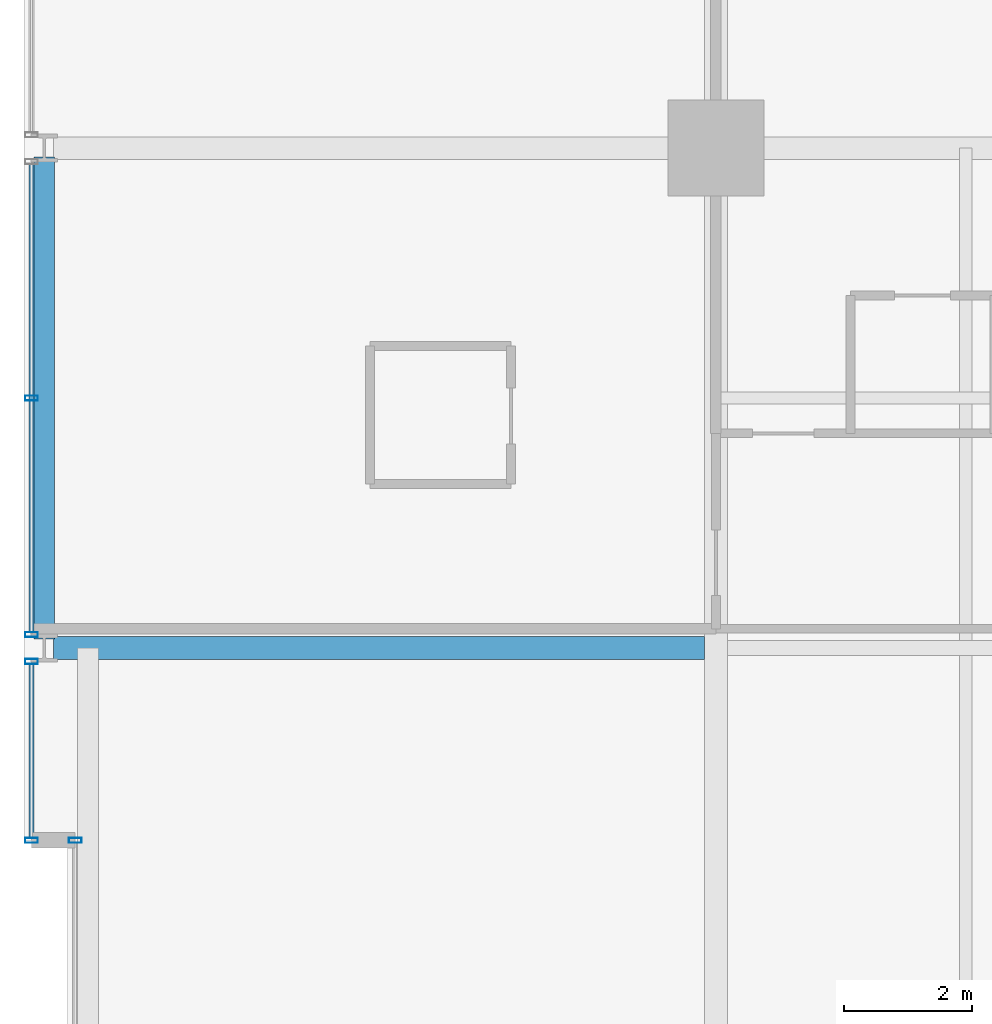
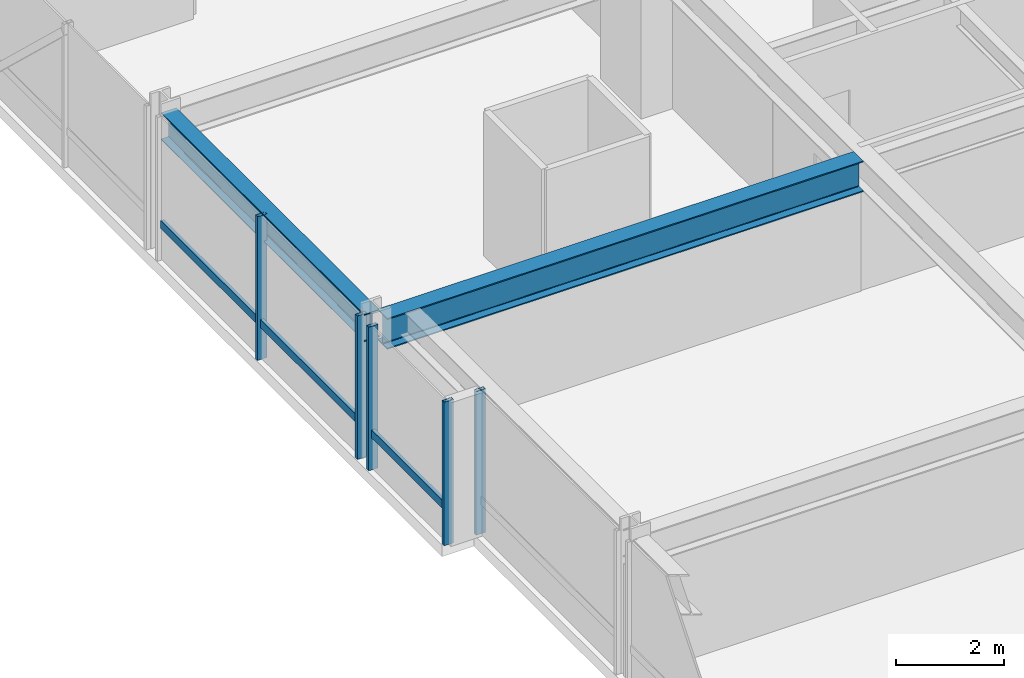
# One storey, part 16 of 34: 7 members, 2 beams, 3 elements without a shape of their own.
"""IFC4 building model written with IfcOpenShell, lengths in metres."""

from ifc_helpers import new_model, si_unit, direction, frame, origin, origin_2d, place, context, subcontext, project, spatial, hollow_rectangle, i_section, extrude, material, layer, layer_set, material_profile, profile_set, type_object, element, aggregate, save


model = new_model("IFC4")

# Units and contexts
model_context = context("Model", 3, precision=1e-05, world=origin(), true_north=direction((0.0, 1.0)))
body_context = subcontext(model_context, "Body", "Model", "MODEL_VIEW")
ifc_project = project(units=[si_unit("LENGTHUNIT", "METRE"), si_unit("AREAUNIT", "SQUARE_METRE"), si_unit("VOLUMEUNIT", "CUBIC_METRE"), si_unit("PLANEANGLEUNIT", "RADIAN"), si_unit("MASSUNIT", "GRAM", prefix="KILO")], contexts=[model_context])

# Site, building, storey
site_placement = place(None, origin())
site = spatial("IfcSite", under=ifc_project, at=site_placement, CompositionType="ELEMENT")
building_placement = place(site_placement, origin())
building = spatial("IfcBuilding", under=site, at=building_placement, Name="Drelvath Grand Hotel", CompositionType="ELEMENT")
storey_placement = place(building_placement, frame((0.0, 0.0, 133.800048828125)))
storey = spatial("IfcBuildingStorey", under=building, at=storey_placement, Name="L34", CompositionType="ELEMENT", Elevation=133.800048828125)

# Curtain wall, member
ifc_material_1 = material(Name="Champagne Bronze Anodised Aluminium Frame", Category="aluminium")
ifc_layer = layer(ifc_material_1, 0.199951171875)
ifc_layer_set = layer_set([ifc_layer], Name="Champagne Bronze Anodised Aluminium Frame")
curtain_wall_type = type_object("IfcCurtainWallType", Name="Stick Curtain Wall CW-03 Champagne Bronze Mid-Rise", PredefinedType="NOTDEFINED", material=ifc_layer_set)
curtain_wall_1_placement = place(storey_placement, origin())
curtain_wall_1 = element("IfcCurtainWall", 1, at=curtain_wall_1_placement, inside=storey, type_object=curtain_wall_type, Name="L34 CW-03 Curtain Wall CW03-L34-WN1", PredefinedType="NOTDEFINED")
ifc_material_profile_1 = material_profile(ifc_material_1, hollow_rectangle(XDim=0.074951171875, YDim=0.179931640625, WallThickness=0.0048828125, at=origin_2d()), Name="HSS180X75X5")
ifc_profile_set_1 = profile_set([ifc_material_profile_1], Name="Champagne Bronze Anodised Aluminium Frame")
member_type_1 = type_object("IfcMemberType", Name="Curtain Wall Horizontal Transom CW-03 HSS180X75X5", PredefinedType="USERDEFINED", material=ifc_profile_set_1)
member_1_placement = place(storey_placement, frame((-26.8798828125, 32.43994140625, 0.81005859375), z_axis=(0.0, 1.0, 0.0), x_axis=(-1.0, 0.0, 0.0)))
member_1 = element("IfcMember", 2, at=member_1_placement, type_object=member_type_1, Name="CW03-L34-WN1 Sill Transom", ObjectType="TRANSOM", PredefinedType="USERDEFINED", context=body_context, shape_type="SweptSolid", body=[
    extrude(hollow_rectangle(XDim=0.074951171875, YDim=0.179931640625, WallThickness=0.0048828125, at=origin_2d()), origin(), (0.0, 0.0, 1.0), 2.710693359375),
])

curtain_wall_2_placement = place(storey_placement, origin())
curtain_wall_2 = element("IfcCurtainWall", 3, at=curtain_wall_2_placement, inside=storey, type_object=curtain_wall_type, Name="L34 CW-03 Curtain Wall CW03-L34-WN2", PredefinedType="NOTDEFINED")
member_2_placement = place(storey_placement, frame((-26.8798828125, 35.6494140625, 0.81005859375), z_axis=(0.0, 1.0, 0.0), x_axis=(-1.0, 0.0, 0.0)))
member_2 = element("IfcMember", 4, at=member_2_placement, type_object=member_type_1, Name="CW03-L34-WN2 Sill Transom", ObjectType="TRANSOM", PredefinedType="USERDEFINED", context=body_context, shape_type="SweptSolid", body=[
    extrude(hollow_rectangle(XDim=0.074951171875, YDim=0.179931640625, WallThickness=0.0048828125, at=origin_2d()), origin(), (0.0, 0.0, 1.0), 7.30126953125),
])

curtain_wall_3_placement = place(storey_placement, origin())
curtain_wall_3 = element("IfcCurtainWall", 5, at=curtain_wall_3_placement, inside=storey, type_object=curtain_wall_type, Name="L34 CW-03 Curtain Wall CW03-L34-WM2", PredefinedType="NOTDEFINED")
ifc_material_profile_2 = material_profile(ifc_material_1, hollow_rectangle(XDim=0.080078125, YDim=0.199951171875, WallThickness=0.0048828125, at=origin_2d()), Name="HSS200X80X5")
ifc_profile_set_2 = profile_set([ifc_material_profile_2], Name="Champagne Bronze Anodised Aluminium Frame")
member_type_2 = type_object("IfcMemberType", Name="Curtain Wall Vertical Mullion CW-03 HSS200X80X5", PredefinedType="MULLION", material=ifc_profile_set_2)
member_3_placement = place(storey_placement, frame((-26.199951171875, 32.39990234375, 0.0), z_axis=(0.0, 0.0, 1.0), x_axis=(0.0, 1.0, 0.0)))
member_3 = element("IfcMember", 6, at=member_3_placement, type_object=member_type_2, Name="CW03-L34-WM2 Mullion 2", PredefinedType="MULLION", context=body_context, shape_type="SweptSolid", body=[
    extrude(hollow_rectangle(XDim=0.080078125, YDim=0.199951171875, WallThickness=0.0048828125, at=origin_2d()), origin(), (0.0, 0.0, 1.0), 3.239990234375),
])
aggregate(curtain_wall_3, [member_3])

# Member
member_4_placement = place(storey_placement, frame((-26.8798828125, 32.39990234375, 0.0), z_axis=(0.0, 0.0, 1.0), x_axis=(0.0, 1.0, 0.0)))
member_4 = element("IfcMember", 7, at=member_4_placement, type_object=member_type_2, Name="CW03-L34-WN1 Mullion 1", PredefinedType="MULLION", context=body_context, shape_type="SweptSolid", body=[
    extrude(hollow_rectangle(XDim=0.080078125, YDim=0.199951171875, WallThickness=0.0048828125, at=origin_2d()), origin(), (0.0, 0.0, 1.0), 3.239990234375),
])

member_5_placement = place(storey_placement, frame((-26.8798828125, 35.190673828125, 0.0), z_axis=(0.0, 0.0, 1.0), x_axis=(0.0, 1.0, 0.0)))
member_5 = element("IfcMember", 8, at=member_5_placement, type_object=member_type_2, Name="CW03-L34-WN1 Mullion 2", PredefinedType="MULLION", context=body_context, shape_type="SweptSolid", body=[
    extrude(hollow_rectangle(XDim=0.080078125, YDim=0.199951171875, WallThickness=0.0048828125, at=origin_2d()), origin(), (0.0, 0.0, 1.0), 3.239990234375),
])

aggregate(curtain_wall_1, [member_4, member_5, member_1])

member_6_placement = place(storey_placement, frame((-26.8798828125, 35.609375, 0.0), z_axis=(0.0, 0.0, 1.0), x_axis=(0.0, 1.0, 0.0)))
member_6 = element("IfcMember", 9, at=member_6_placement, type_object=member_type_2, Name="CW03-L34-WN2 Mullion 1", PredefinedType="MULLION", context=body_context, shape_type="SweptSolid", body=[
    extrude(hollow_rectangle(XDim=0.080078125, YDim=0.199951171875, WallThickness=0.0048828125, at=origin_2d()), origin(), (0.0, 0.0, 1.0), 3.239990234375),
])

member_7_placement = place(storey_placement, frame((-26.8798828125, 39.300048828125, 0.0), z_axis=(0.0, 0.0, 1.0), x_axis=(0.0, 1.0, 0.0)))
member_7 = element("IfcMember", 10, at=member_7_placement, type_object=member_type_2, Name="CW03-L34-WN2 Mullion 2", PredefinedType="MULLION", context=body_context, shape_type="SweptSolid", body=[
    extrude(hollow_rectangle(XDim=0.080078125, YDim=0.199951171875, WallThickness=0.0048828125, at=origin_2d()), origin(), (0.0, 0.0, 1.0), 3.239990234375),
])

aggregate(curtain_wall_2, [member_6, member_7, member_2])

# Beams
ifc_material_2 = material(Name="Steel ASTM A992 Gr 50", Category="steel")
ifc_material_profile_3 = material_profile(ifc_material_2, i_section(OverallWidth=0.323974609375, OverallDepth=0.611083984375, WebThickness=0.0126953125, FlangeThickness=0.01904296875, FilletRadius=0.02197265625, at=origin_2d()), Name="W24X104")
ifc_profile_set_3 = profile_set([ifc_material_profile_3], Name="Steel ASTM A992 Gr 50")
beam_type_1 = type_object("IfcBeamType", Name="Perimeter Spandrel Beam W24X104", PredefinedType="SPANDREL", material=ifc_profile_set_3)
beam_1_placement = place(storey_placement, frame((-26.679931640625, 35.5400390625, 2.934326171875), z_axis=(0.0, 1.0, 0.0), x_axis=(-1.0, 0.0, 0.0)))
element("IfcBeam", 11, at=beam_1_placement, inside=storey, type_object=beam_type_1, Name="L34 Spandrel West N", PredefinedType="SPANDREL", context=body_context, shape_type="SweptSolid", body=[
    extrude(i_section(OverallWidth=0.323974609375, OverallDepth=0.611083984375, WebThickness=0.0126953125, FlangeThickness=0.01904296875, FilletRadius=0.02197265625, at=origin_2d()), origin(), (0.0, 0.0, 1.0), 7.52001953125),
])
ifc_material_profile_4 = material_profile(ifc_material_2, i_section(OverallWidth=0.354736328125, OverallDepth=0.695556640625, WebThickness=0.015380859375, FlangeThickness=0.025146484375, FilletRadius=0.02392578125, at=origin_2d()), Name="W27X146")
ifc_profile_set_4 = profile_set([ifc_material_profile_4], Name="Steel ASTM A992 Gr 50")
beam_type_2 = type_object("IfcBeamType", Name="Primary Floor Girder W27X146", PredefinedType="BEAM", material=ifc_profile_set_4)
beam_2_placement = place(storey_placement, frame((-26.5400390625, 35.39990234375, 2.892333984375), z_axis=(1.0, 0.0, 0.0), x_axis=(0.0, 1.0, 0.0)))
element("IfcBeam", 12, at=beam_2_placement, inside=storey, type_object=beam_type_2, Name="L34 West Wing Girder F", PredefinedType="BEAM", context=body_context, shape_type="SweptSolid", body=[
    extrude(i_section(OverallWidth=0.354736328125, OverallDepth=0.695556640625, WebThickness=0.015380859375, FlangeThickness=0.025146484375, FilletRadius=0.02392578125, at=origin_2d()), origin(), (0.0, 0.0, 1.0), 10.16259765625),
])

save(model, "model.ifc")
